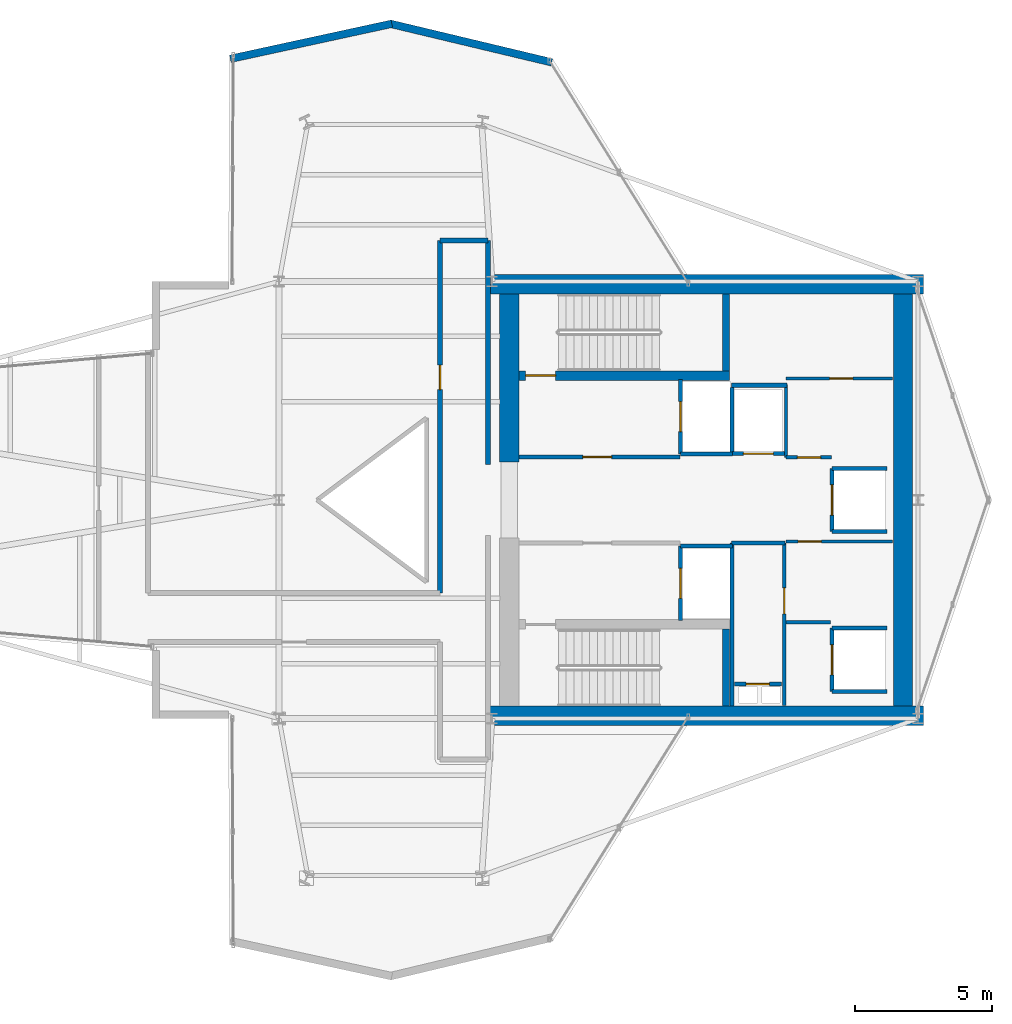
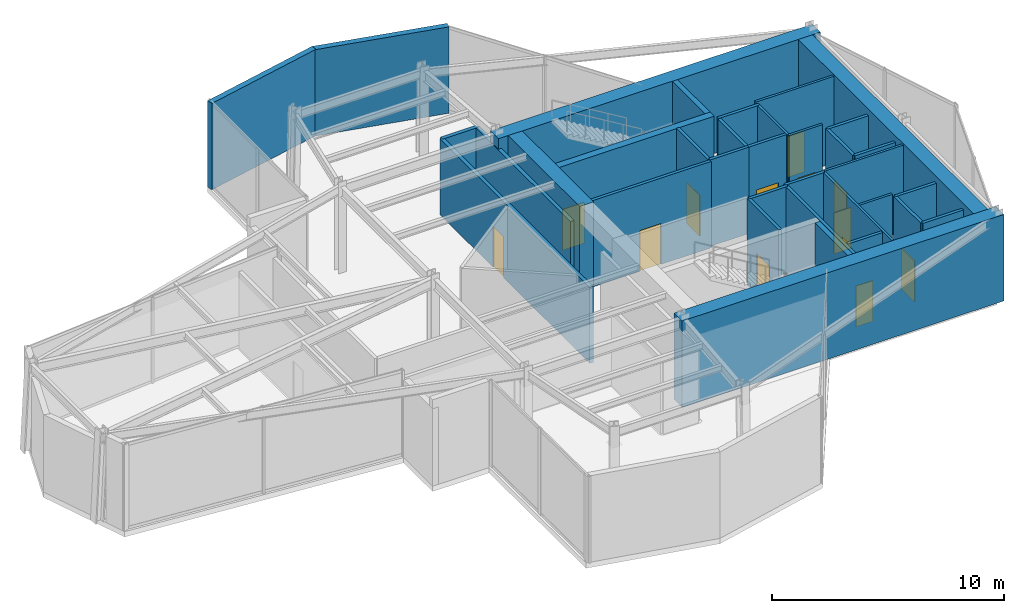
# One storey, part 10 of 14: 35 walls, 13 doors, 13 openings.
"""IFC4 building model written with IfcOpenShell, lengths in metres."""

from ifc_helpers import new_model, si_unit, direction, frame, frame_2d, origin, place, context, subcontext, project, spatial, rectangle, extrude, material, layer, layer_set, type_object, element, fill, save


model = new_model("IFC4")

# Units and contexts
model_context = context("Model", 3, precision=1e-05, world=origin(), true_north=direction((0.0, 1.0)))
body_context = subcontext(model_context, "Body", "Model", "MODEL_VIEW")
ifc_project = project(units=[si_unit("LENGTHUNIT", "METRE"), si_unit("AREAUNIT", "SQUARE_METRE"), si_unit("VOLUMEUNIT", "CUBIC_METRE"), si_unit("PLANEANGLEUNIT", "RADIAN"), si_unit("MASSUNIT", "GRAM", prefix="KILO")], contexts=[model_context])

# Site, building, storey
site_placement = place(None, origin())
site = spatial("IfcSite", under=ifc_project, at=site_placement, CompositionType="ELEMENT")
building_placement = place(site_placement, origin())
building = spatial("IfcBuilding", under=site, at=building_placement, Name="Veymaron Broadcast Tower", CompositionType="ELEMENT")
storey_placement = place(building_placement, frame((0.0, 0.0, 187.050048828125)))
storey = spatial("IfcBuildingStorey", under=building, at=storey_placement, Name="L43", CompositionType="ELEMENT", Elevation=187.050048828125)

# Walls
ifc_material_1 = material(Name="Precast concrete C40/50", Category="concrete")
ifc_layer_1 = layer(ifc_material_1, 0.280029296875)
ifc_layer_set_1 = layer_set([ifc_layer_1], Name="Precast concrete C40/50")
wall_type_1 = type_object("IfcWallType", Name="WALL-EXT-280", PredefinedType="STANDARD", material=ifc_layer_set_1)
wall_1_placement = place(storey_placement, frame((41.182861328125, 40.024658203125, 0.0), z_axis=(0.0, 0.0, 1.0), x_axis=(-0.972648741774, 0.232280918558, 0.0)))
element("IfcWall", 1, at=wall_1_placement, inside=storey, type_object=wall_type_1, Name="L43 notched corner facade pier 6-1", PredefinedType="STANDARD", context=body_context, shape_type="SweptSolid", body=[
    extrude(rectangle(XDim=6.080322265625, YDim=0.280029296875, at=frame_2d((3.0400390625, 0.0))), origin(), (0.0, 0.0, 1.0), 4.5400390625),
])
wall_2_placement = place(storey_placement, frame((35.330810546875, 41.436279296875, 0.0), z_axis=(0.0, 0.0, 1.0), x_axis=(-0.977235673134, -0.212156638252, 0.0)))
element("IfcWall", 2, at=wall_2_placement, inside=storey, type_object=wall_type_1, Name="L43 notched corner facade pier 7-1", PredefinedType="STANDARD", context=body_context, shape_type="SweptSolid", body=[
    extrude(rectangle(XDim=6.0517578125, YDim=0.280029296875, at=frame_2d((3.02587890625, 0.0))), origin(), (0.0, 0.0, 1.0), 4.5400390625),
])

# Wall, opening, door
ifc_material_2 = material(Name="Gypsum fireboard and steel stud framing", Category="steel")
ifc_layer_2 = layer(ifc_material_2, 0.14990234375)
ifc_layer_set_2 = layer_set([ifc_layer_2], Name="Gypsum fireboard and steel stud framing")
wall_type_2 = type_object("IfcWallType", Name="WALL-FIRE-150", PredefinedType="PARTITIONING", material=ifc_layer_set_2)
wall_3_placement = place(storey_placement, frame((39.97998046875, 25.574951171875, 0.0), z_axis=(0.0, 0.0, 1.0), x_axis=(1.0, 0.0, 0.0)))
wall_3 = element("IfcWall", 3, at=wall_3_placement, inside=storey, type_object=wall_type_2, Name="L43 partition IW-L43-FFLN-S", PredefinedType="PARTITIONING", context=body_context, shape_type="SweptSolid", body=[
    extrude(rectangle(XDim=5.89990234375, YDim=0.14990234375, at=frame_2d((2.949951171875, 0.0))), origin(), (0.0, 0.0, 1.0), 4.5400390625),
])
opening_1_placement = place(wall_3_placement, frame((2.35009765625, 0.0, 0.0)))
opening_1 = element("IfcOpeningElement", 4, at=opening_1_placement, cuts=wall_3, Name="Opening ID-FL1", PredefinedType="OPENING", context=body_context, shape_type="SweptSolid", body=[
    extrude(rectangle(XDim=1.050048828125, YDim=2.14990234375, at=frame_2d((0.52490234375, 1.074951171875))), frame((0.0, 0.0849609375, 0.0), z_axis=(0.0, -1.0, 0.0), x_axis=(1.0, 0.0, 0.0)), (0.0, 0.0, 1.0), 0.169921875),
])
ifc_material_3 = material(Name="Fire-rated painted hollow steel ASTM A653", Category="steel")
door_type_1 = type_object("IfcDoorType", Name="DOOR-FIRE-1050", OperationType="NOTDEFINED", PredefinedType="DOOR", material=ifc_material_3)
door_1_placement = place(opening_1_placement, origin())
door_1 = element("IfcDoor", 5, at=door_1_placement, inside=storey, type_object=door_type_1, Name="L43 door DR-L43-FFLN", OperationType="SINGLE_SWING_LEFT", OverallHeight=2.14990234375, OverallWidth=1.050048828125, PredefinedType="DOOR", context=body_context, shape_type="SweptSolid", body=[
    extrude(rectangle(XDim=1.050048828125, YDim=2.14990234375, at=frame_2d((0.52490234375, 1.074951171875))), frame((0.0, 0.02490234375, 0.0), z_axis=(0.0, -1.0, 0.0), x_axis=(1.0, 0.0, 0.0)), (0.0, 0.0, 1.0), 0.050048828125),
])
fill(opening_1, door_1)

wall_4_placement = place(storey_placement, frame((45.89501953125, 25.68994140625, 0.0), z_axis=(0.0, 0.0, 1.0), x_axis=(0.0, 1.0, 0.0)))
wall_4 = element("IfcWall", 6, at=wall_4_placement, inside=storey, type_object=wall_type_2, Name="L43 partition IW-L43-SHW-FFL-1", PredefinedType="PARTITIONING", context=body_context, shape_type="SweptSolid", body=[
    extrude(rectangle(XDim=2.719970703125, YDim=0.14990234375, at=frame_2d((1.35986328125, 0.0))), origin(), (0.0, 0.0, 1.0), 4.5400390625),
])
opening_2_placement = place(wall_4_placement, frame((0.81005859375, 0.0, 0.0)))
opening_2 = element("IfcOpeningElement", 7, at=opening_2_placement, cuts=wall_4, Name="Opening LD", PredefinedType="OPENING", context=body_context, shape_type="SweptSolid", body=[
    extrude(rectangle(XDim=1.10009765625, YDim=2.14990234375, at=frame_2d((0.550048828125, 1.074951171875))), frame((0.0, 0.0849609375, 0.0), z_axis=(0.0, -1.0, 0.0), x_axis=(1.0, 0.0, 0.0)), (0.0, 0.0, 1.0), 0.169921875),
])
ifc_material_4 = material(Name="Brushed stainless steel AISI 304", Category="steel")
door_type_2 = type_object("IfcDoorType", Name="DOOR-LIFT-1100", OperationType="DOUBLE_DOOR_SLIDING", PredefinedType="DOOR", material=ifc_material_4)
door_2_placement = place(opening_2_placement, frame((1.10009765625, 0.0, 0.0), z_axis=(0.0, 0.0, 1.0), x_axis=(-1.0, 0.0, 0.0)))
door_2 = element("IfcDoor", 8, at=door_2_placement, inside=storey, type_object=door_type_2, Name="L43 door LD-L43-FFL-1", OperationType="DOUBLE_DOOR_SLIDING", OverallHeight=2.14990234375, OverallWidth=1.10009765625, PredefinedType="DOOR", context=body_context, shape_type="SweptSolid", body=[
    extrude(rectangle(XDim=1.10009765625, YDim=2.14990234375, at=frame_2d((0.550048828125, 1.074951171875))), frame((0.0, 0.02490234375, 0.0), z_axis=(0.0, -1.0, 0.0), x_axis=(1.0, 0.0, 0.0)), (0.0, 0.0, 1.0), 0.050048828125),
])
fill(opening_2, door_2)

# Wall
wall_5_placement = place(storey_placement, frame((45.89501953125, 25.68994140625, 0.0), z_axis=(0.0, 0.0, 1.0), x_axis=(1.0, 0.0, 0.0)))
element("IfcWall", 9, at=wall_5_placement, inside=storey, type_object=wall_type_2, Name="L43 partition IW-L43-SHS-FFL-1", PredefinedType="PARTITIONING", context=body_context, shape_type="SweptSolid", body=[
    extrude(rectangle(XDim=1.9150390625, YDim=0.14990234375, at=frame_2d((0.95751953125, 0.0))), origin(), (0.0, 0.0, 1.0), 4.5400390625),
])

# Wall, opening, door
wall_6_placement = place(storey_placement, frame((45.89501953125, 19.590087890625, 0.0), z_axis=(0.0, 0.0, 1.0), x_axis=(0.0, 1.0, 0.0)))
wall_6 = element("IfcWall", 10, at=wall_6_placement, inside=storey, type_object=wall_type_2, Name="L43 partition IW-L43-SHW-FFL-2", PredefinedType="PARTITIONING", context=body_context, shape_type="SweptSolid", body=[
    extrude(rectangle(XDim=2.719970703125, YDim=0.14990234375, at=frame_2d((1.35986328125, 0.0))), origin(), (0.0, 0.0, 1.0), 4.5400390625),
])
opening_3_placement = place(wall_6_placement, frame((0.81005859375, 0.0, 0.0)))
opening_3 = element("IfcOpeningElement", 11, at=opening_3_placement, cuts=wall_6, Name="Opening LD", PredefinedType="OPENING", context=body_context, shape_type="SweptSolid", body=[
    extrude(rectangle(XDim=1.10009765625, YDim=2.14990234375, at=frame_2d((0.550048828125, 1.074951171875))), frame((0.0, 0.0849609375, 0.0), z_axis=(0.0, -1.0, 0.0), x_axis=(1.0, 0.0, 0.0)), (0.0, 0.0, 1.0), 0.169921875),
])
door_3_placement = place(opening_3_placement, frame((1.10009765625, 0.0, 0.0), z_axis=(0.0, 0.0, 1.0), x_axis=(-1.0, 0.0, 0.0)))
door_3 = element("IfcDoor", 12, at=door_3_placement, inside=storey, type_object=door_type_2, Name="L43 door LD-L43-FFL-2", OperationType="DOUBLE_DOOR_SLIDING", OverallHeight=2.14990234375, OverallWidth=1.10009765625, PredefinedType="DOOR", context=body_context, shape_type="SweptSolid", body=[
    extrude(rectangle(XDim=1.10009765625, YDim=2.14990234375, at=frame_2d((0.550048828125, 1.074951171875))), frame((0.0, 0.02490234375, 0.0), z_axis=(0.0, -1.0, 0.0), x_axis=(1.0, 0.0, 0.0)), (0.0, 0.0, 1.0), 0.050048828125),
])
fill(opening_3, door_3)

# Wall
wall_7_placement = place(storey_placement, frame((45.89501953125, 22.31005859375, 0.0), z_axis=(0.0, 0.0, 1.0), x_axis=(1.0, 0.0, 0.0)))
element("IfcWall", 13, at=wall_7_placement, inside=storey, type_object=wall_type_2, Name="L43 partition IW-L43-SHN-FFL-2", PredefinedType="PARTITIONING", context=body_context, shape_type="SweptSolid", body=[
    extrude(rectangle(XDim=1.9150390625, YDim=0.14990234375, at=frame_2d((0.95751953125, 0.0))), origin(), (0.0, 0.0, 1.0), 4.5400390625),
])

# Wall, opening, door
wall_8_placement = place(storey_placement, frame((47.7900390625, 25.695068359375, 0.0), z_axis=(0.0, 0.0, 1.0), x_axis=(1.0, 0.0, 0.0)))
wall_8 = element("IfcWall", 14, at=wall_8_placement, inside=storey, type_object=wall_type_2, Name="L43 partition IW-L43-SHS-SL-1", PredefinedType="PARTITIONING", context=body_context, shape_type="SweptSolid", body=[
    extrude(rectangle(XDim=1.919921875, YDim=0.14990234375, at=frame_2d((0.9599609375, 0.0))), origin(), (0.0, 0.0, 1.0), 4.5400390625),
])
opening_4_placement = place(wall_8_placement, frame((0.409912109375, 0.0, 0.0)))
opening_4 = element("IfcOpeningElement", 15, at=opening_4_placement, cuts=wall_8, Name="Opening LD", PredefinedType="OPENING", context=body_context, shape_type="SweptSolid", body=[
    extrude(rectangle(XDim=1.10009765625, YDim=2.14990234375, at=frame_2d((0.550048828125, 1.074951171875))), frame((0.0, 0.0849609375, 0.0), z_axis=(0.0, -1.0, 0.0), x_axis=(1.0, 0.0, 0.0)), (0.0, 0.0, 1.0), 0.169921875),
])
door_4_placement = place(opening_4_placement, frame((1.10009765625, 0.0, 0.0), z_axis=(0.0, 0.0, 1.0), x_axis=(-1.0, 0.0, 0.0)))
door_4 = element("IfcDoor", 16, at=door_4_placement, inside=storey, type_object=door_type_2, Name="L43 door LD-L43-SL-1", OperationType="DOUBLE_DOOR_SLIDING", OverallHeight=2.14990234375, OverallWidth=1.10009765625, PredefinedType="DOOR", context=body_context, shape_type="SweptSolid", body=[
    extrude(rectangle(XDim=1.10009765625, YDim=2.14990234375, at=frame_2d((0.550048828125, 1.074951171875))), frame((0.0, 0.02490234375, 0.0), z_axis=(0.0, -1.0, 0.0), x_axis=(1.0, 0.0, 0.0)), (0.0, 0.0, 1.0), 0.050048828125),
])
fill(opening_4, door_4)

# Wall
wall_9_placement = place(storey_placement, frame((47.7900390625, 25.695068359375, 0.0), z_axis=(0.0, 0.0, 1.0), x_axis=(0.0, 1.0, 0.0)))
element("IfcWall", 17, at=wall_9_placement, inside=storey, type_object=wall_type_2, Name="L43 partition IW-L43-SHW-SL-1", PredefinedType="PARTITIONING", context=body_context, shape_type="SweptSolid", body=[
    extrude(rectangle(XDim=2.4150390625, YDim=0.14990234375, at=frame_2d((1.20751953125, 0.0))), origin(), (0.0, 0.0, 1.0), 4.5400390625),
])

# Wall, opening, door
wall_10_placement = place(storey_placement, frame((51.445068359375, 22.840087890625, 0.0), z_axis=(0.0, 0.0, 1.0), x_axis=(0.0, 1.0, 0.0)))
wall_10 = element("IfcWall", 18, at=wall_10_placement, inside=storey, type_object=wall_type_2, Name="L43 partition IW-L43-SHW-PM3", PredefinedType="PARTITIONING", context=body_context, shape_type="SweptSolid", body=[
    extrude(rectangle(XDim=2.31982421875, YDim=0.14990234375, at=frame_2d((1.159912109375, 0.0))), origin(), (0.0, 0.0, 1.0), 4.5400390625),
])
opening_5_placement = place(wall_10_placement, frame((0.610107421875, 0.0, 0.0)))
opening_5 = element("IfcOpeningElement", 19, at=opening_5_placement, cuts=wall_10, Name="Opening LD", PredefinedType="OPENING", context=body_context, shape_type="SweptSolid", body=[
    extrude(rectangle(XDim=1.10009765625, YDim=2.14990234375, at=frame_2d((0.550048828125, 1.074951171875))), frame((0.0, 0.0849609375, 0.0), z_axis=(0.0, -1.0, 0.0), x_axis=(1.0, 0.0, 0.0)), (0.0, 0.0, 1.0), 0.169921875),
])
door_5_placement = place(opening_5_placement, frame((1.10009765625, 0.0, 0.0), z_axis=(0.0, 0.0, 1.0), x_axis=(-1.0, 0.0, 0.0)))
door_5 = element("IfcDoor", 20, at=door_5_placement, inside=storey, type_object=door_type_2, Name="L43 door LD-L43-PM3", OperationType="DOUBLE_DOOR_SLIDING", OverallHeight=2.14990234375, OverallWidth=1.10009765625, PredefinedType="DOOR", context=body_context, shape_type="SweptSolid", body=[
    extrude(rectangle(XDim=1.10009765625, YDim=2.14990234375, at=frame_2d((0.550048828125, 1.074951171875))), frame((0.0, 0.02490234375, 0.0), z_axis=(0.0, -1.0, 0.0), x_axis=(1.0, 0.0, 0.0)), (0.0, 0.0, 1.0), 0.050048828125),
])
fill(opening_5, door_5)

# Walls
for number, where, z_axis, x_axis, name in (
    (21, (51.445068359375, 22.840087890625, 0.0), (0.0, 0.0, 1.0), (1.0, 0.0, 0.0), "L43 partition IW-L43-SHS-PM3"),
    (22, (51.445068359375, 25.159912109375, 0.0), (0.0, 0.0, 1.0), (1.0, 0.0, 0.0), "L43 partition IW-L43-SHN-PM3"),
):
    element("IfcWall", number, at=place(storey_placement, frame(where, z_axis=z_axis, x_axis=x_axis)), inside=storey, type_object=wall_type_2, Name=name, PredefinedType="PARTITIONING", context=body_context, shape_type="SweptSolid", body=[
        extrude(rectangle(XDim=2.014892578125, YDim=0.14990234375, at=frame_2d((1.00732421875, 0.0))), origin(), (0.0, 0.0, 1.0), 4.5400390625),
    ])

# Wall, opening, door
wall_11_placement = place(storey_placement, frame((51.445068359375, 16.989990234375, 0.0), z_axis=(0.0, 0.0, 1.0), x_axis=(0.0, 1.0, 0.0)))
wall_11 = element("IfcWall", 23, at=wall_11_placement, inside=storey, type_object=wall_type_2, Name="L43 partition IW-L43-SHW-PH1", PredefinedType="PARTITIONING", context=body_context, shape_type="SweptSolid", body=[
    extrude(rectangle(XDim=2.320068359375, YDim=0.14990234375, at=frame_2d((1.16015625, 0.0))), origin(), (0.0, 0.0, 1.0), 4.5400390625),
])
opening_6_placement = place(wall_11_placement, frame((0.610107421875, 0.0, 0.0)))
opening_6 = element("IfcOpeningElement", 24, at=opening_6_placement, cuts=wall_11, Name="Opening LD", PredefinedType="OPENING", context=body_context, shape_type="SweptSolid", body=[
    extrude(rectangle(XDim=1.10009765625, YDim=2.14990234375, at=frame_2d((0.550048828125, 1.074951171875))), frame((0.0, 0.0849609375, 0.0), z_axis=(0.0, -1.0, 0.0), x_axis=(1.0, 0.0, 0.0)), (0.0, 0.0, 1.0), 0.169921875),
])
door_6_placement = place(opening_6_placement, frame((1.10009765625, 0.0, 0.0), z_axis=(0.0, 0.0, 1.0), x_axis=(-1.0, 0.0, 0.0)))
door_6 = element("IfcDoor", 25, at=door_6_placement, inside=storey, type_object=door_type_2, Name="L43 door LD-L43-PH1", OperationType="DOUBLE_DOOR_SLIDING", OverallHeight=2.14990234375, OverallWidth=1.10009765625, PredefinedType="DOOR", context=body_context, shape_type="SweptSolid", body=[
    extrude(rectangle(XDim=1.10009765625, YDim=2.14990234375, at=frame_2d((0.550048828125, 1.074951171875))), frame((0.0, 0.02490234375, 0.0), z_axis=(0.0, -1.0, 0.0), x_axis=(1.0, 0.0, 0.0)), (0.0, 0.0, 1.0), 0.050048828125),
])
fill(opening_6, door_6)

# Walls
for number, where, z_axis, x_axis, name in (
    (26, (51.445068359375, 16.989990234375, 0.0), (0.0, 0.0, 1.0), (1.0, 0.0, 0.0), "L43 partition IW-L43-SHS-PH1"),
    (27, (51.445068359375, 19.31005859375, 0.0), (0.0, 0.0, 1.0), (1.0, 0.0, 0.0), "L43 partition IW-L43-SHN-PH1"),
):
    element("IfcWall", number, at=place(storey_placement, frame(where, z_axis=z_axis, x_axis=x_axis)), inside=storey, type_object=wall_type_2, Name=name, PredefinedType="PARTITIONING", context=body_context, shape_type="SweptSolid", body=[
        extrude(rectangle(XDim=2.014892578125, YDim=0.14990234375, at=frame_2d((1.00732421875, 0.0))), origin(), (0.0, 0.0, 1.0), 4.5400390625),
    ])

# Wall, opening, door
wall_12_placement = place(storey_placement, frame((47.8798828125, 17.260009765625, 0.0), z_axis=(0.0, 0.0, 1.0), x_axis=(1.0, 0.0, 0.0)))
wall_12 = element("IfcWall", 28, at=wall_12_placement, inside=storey, type_object=wall_type_2, Name="L43 partition IW-L43-RIS-N", PredefinedType="PARTITIONING", context=body_context, shape_type="SweptSolid", body=[
    extrude(rectangle(XDim=1.72021484375, YDim=0.14990234375, at=frame_2d((0.860107421875, 0.0))), origin(), (0.0, 0.0, 1.0), 4.5400390625),
])
opening_7_placement = place(wall_12_placement, frame((0.419921875, 0.0, 0.0)))
opening_7 = element("IfcOpeningElement", 29, at=opening_7_placement, cuts=wall_12, Name="Opening ID-RS1", PredefinedType="OPENING", context=body_context, shape_type="SweptSolid", body=[
    extrude(rectangle(XDim=0.85009765625, YDim=2.14990234375, at=frame_2d((0.425048828125, 1.074951171875))), frame((0.0, 0.0849609375, 0.0), z_axis=(0.0, -1.0, 0.0), x_axis=(1.0, 0.0, 0.0)), (0.0, 0.0, 1.0), 0.169921875),
])
ifc_material_5 = material(Name="Fire-rated powder-coated steel riser leaf", Category="steel")
door_type_3 = type_object("IfcDoorType", Name="DOOR-RIS-850", OperationType="NOTDEFINED", PredefinedType="TRAPDOOR", material=ifc_material_5)
door_7_placement = place(opening_7_placement, origin())
door_7 = element("IfcDoor", 30, at=door_7_placement, inside=storey, type_object=door_type_3, Name="L43 door DR-L43-RIS", OperationType="SINGLE_SWING_LEFT", OverallHeight=2.14990234375, OverallWidth=0.85009765625, PredefinedType="TRAPDOOR", context=body_context, shape_type="SweptSolid", body=[
    extrude(rectangle(XDim=0.85009765625, YDim=2.14990234375, at=frame_2d((0.425048828125, 1.074951171875))), frame((0.0, 0.02490234375, 0.0), z_axis=(0.0, -1.0, 0.0), x_axis=(1.0, 0.0, 0.0)), (0.0, 0.0, 1.0), 0.050048828125),
])
fill(opening_7, door_7)

# Walls
wall_13_placement = place(storey_placement, frame((47.760009765625, 22.425048828125, 0.0), z_axis=(0.0, 0.0, 1.0), x_axis=(1.0, 0.0, 0.0)))
element("IfcWall", 31, at=wall_13_placement, inside=storey, type_object=wall_type_2, Name="L43 partition IW-L43-SM-N", PredefinedType="PARTITIONING", context=body_context, shape_type="SweptSolid", body=[
    extrude(rectangle(XDim=1.9599609375, YDim=0.14990234375, at=frame_2d((0.97998046875, 0.0))), origin(), (0.0, 0.0, 1.0), 4.5400390625),
])
wall_14_placement = place(storey_placement, frame((47.780029296875, 16.449951171875, 0.0), z_axis=(0.0, 0.0, 1.0), x_axis=(0.0, 1.0, 0.0)))
element("IfcWall", 32, at=wall_14_placement, inside=storey, type_object=wall_type_2, Name="L43 partition IW-L43-SM-W", PredefinedType="PARTITIONING", context=body_context, shape_type="SweptSolid", body=[
    extrude(rectangle(XDim=5.97509765625, YDim=0.14990234375, at=frame_2d((2.987548828125, 0.0))), origin(), (0.0, 0.0, 1.0), 4.5400390625),
])
wall_15_placement = place(storey_placement, frame((47.760009765625, 28.199951171875, 0.0), z_axis=(0.0, 0.0, 1.0), x_axis=(1.0, 0.0, 0.0)))
element("IfcWall", 33, at=wall_15_placement, inside=storey, type_object=wall_type_2, Name="L43 partition IW-L43-F2-SW", PredefinedType="PARTITIONING", context=body_context, shape_type="SweptSolid", body=[
    extrude(rectangle(XDim=2.0400390625, YDim=0.14990234375, at=frame_2d((1.02001953125, 0.0))), origin(), (0.0, 0.0, 1.0), 4.5400390625),
])

# Wall, opening, door
ifc_material_6 = material(Name="Concrete C40/50", Category="concrete")
ifc_layer_3 = layer(ifc_material_6, 0.179931640625)
ifc_layer_set_3 = layer_set([ifc_layer_3], Name="Concrete C40/50")
wall_type_3 = type_object("IfcWallType", Name="WALL-FIRE-180", PredefinedType="SOLIDWALL", material=ifc_layer_set_3)
wall_16_placement = place(storey_placement, frame((37.10009765625, 20.60009765625, 0.0), z_axis=(0.0, 0.0, 1.0), x_axis=(0.0, 1.0, 0.0)))
wall_16 = element("IfcWall", 34, at=wall_16_placement, inside=storey, type_object=wall_type_3, Name="L43 partition IW-L43-P06", PredefinedType="SOLIDWALL", context=body_context, shape_type="SweptSolid", body=[
    extrude(rectangle(XDim=12.89990234375, YDim=0.179931640625, at=frame_2d((6.449951171875, 0.0))), origin(), (0.0, 0.0, 1.0), 3.990966796875),
])
opening_8_placement = place(wall_16_placement, frame((7.43994140625, 0.0, 0.0)))
opening_8 = element("IfcOpeningElement", 35, at=opening_8_placement, cuts=wall_16, Name="Opening ID-RM2", PredefinedType="OPENING", context=body_context, shape_type="SweptSolid", body=[
    extrude(rectangle(XDim=0.89990234375, YDim=2.14990234375, at=frame_2d((0.449951171875, 1.074951171875))), frame((0.0, 0.10009765625, 0.0), z_axis=(0.0, -1.0, 0.0), x_axis=(1.0, 0.0, 0.0)), (0.0, 0.0, 1.0), 0.199951171875),
])
ifc_material_7 = material(Name="Acoustic solid-core European oak veneer timber", Category="wood")
door_type_4 = type_object("IfcDoorType", Name="DOOR-INT-900", OperationType="NOTDEFINED", PredefinedType="DOOR", material=ifc_material_7)
door_8_placement = place(opening_8_placement, frame((0.89990234375, 0.0, 0.0), z_axis=(0.0, 0.0, 1.0), x_axis=(-1.0, 0.0, 0.0)))
door_8 = element("IfcDoor", 36, at=door_8_placement, inside=storey, type_object=door_type_4, Name="L43 door DR-L43-P06", OperationType="SINGLE_SWING_LEFT", OverallHeight=2.14990234375, OverallWidth=0.89990234375, PredefinedType="DOOR", context=body_context, shape_type="SweptSolid", body=[
    extrude(rectangle(XDim=0.89990234375, YDim=2.14990234375, at=frame_2d((0.449951171875, 1.074951171875))), frame((0.0, 0.02490234375, 0.0), z_axis=(0.0, -1.0, 0.0), x_axis=(1.0, 0.0, 0.0)), (0.0, 0.0, 1.0), 0.050048828125),
])
fill(opening_8, door_8)

# Walls
wall_17_placement = place(storey_placement, frame((38.85009765625, 25.300048828125, 0.0), z_axis=(0.0, 0.0, 1.0), x_axis=(0.0, 1.0, 0.0)))
element("IfcWall", 37, at=wall_17_placement, inside=storey, type_object=wall_type_3, Name="L43 partition IW-L43-P09", PredefinedType="SOLIDWALL", context=body_context, shape_type="SweptSolid", body=[
    extrude(rectangle(XDim=8.199951171875, YDim=0.179931640625, at=frame_2d((4.10009765625, 0.0))), origin(), (0.0, 0.0, 1.0), 3.990966796875),
])
wall_18_placement = place(storey_placement, frame((37.10009765625, 33.5, 0.0), z_axis=(0.0, 0.0, 1.0), x_axis=(1.0, 0.0, 0.0)))
element("IfcWall", 38, at=wall_18_placement, inside=storey, type_object=wall_type_3, Name="L43 partition IW-L43-P10", PredefinedType="SOLIDWALL", context=body_context, shape_type="SweptSolid", body=[
    extrude(rectangle(XDim=1.75, YDim=0.179931640625, at=frame_2d((0.875, 0.0))), origin(), (0.0, 0.0, 1.0), 3.990966796875),
])

# Wall, opening, door
ifc_material_8 = material(Name="Acoustic gypsum board and galvanized stud", Category="gypsum")
ifc_layer_4 = layer(ifc_material_8, 0.1201171875)
ifc_layer_set_4 = layer_set([ifc_layer_4], Name="Acoustic gypsum board and galvanized stud")
wall_type_4 = type_object("IfcWallType", Name="WALL-PART-120", PredefinedType="PARTITIONING", material=ifc_layer_set_4)
wall_19_placement = place(storey_placement, frame((49.699951171875, 16.47998046875, 0.0), z_axis=(0.0, 0.0, 1.0), x_axis=(0.0, 1.0, 0.0)))
wall_19 = element("IfcWall", 39, at=wall_19_placement, inside=storey, type_object=wall_type_4, Name="L43 partition IW-L43-SM-E", PredefinedType="PARTITIONING", context=body_context, shape_type="SweptSolid", body=[
    extrude(rectangle(XDim=5.945068359375, YDim=0.1201171875, at=frame_2d((2.97265625, 0.0))), origin(), (0.0, 0.0, 1.0), 4.5400390625),
])
opening_9_placement = place(wall_19_placement, frame((3.35009765625, 0.0, 0.0)))
opening_9 = element("IfcOpeningElement", 40, at=opening_9_placement, cuts=wall_19, Name="Opening ID-RM1", PredefinedType="OPENING", context=body_context, shape_type="SweptSolid", body=[
    extrude(rectangle(XDim=0.949951171875, YDim=2.14990234375, at=frame_2d((0.47509765625, 1.074951171875))), frame((0.0, 0.070068359375, 0.0), z_axis=(0.0, -1.0, 0.0), x_axis=(1.0, 0.0, 0.0)), (0.0, 0.0, 1.0), 0.14013671875),
])
door_type_5 = type_object("IfcDoorType", Name="DOOR-INT-950", OperationType="NOTDEFINED", PredefinedType="DOOR", material=ifc_material_7)
door_9_placement = place(opening_9_placement, frame((0.949951171875, 0.0, 0.0), z_axis=(0.0, 0.0, 1.0), x_axis=(-1.0, 0.0, 0.0)))
door_9 = element("IfcDoor", 41, at=door_9_placement, inside=storey, type_object=door_type_5, Name="L43 door DR-L43-AWC", OperationType="SINGLE_SWING_LEFT", OverallHeight=2.14990234375, OverallWidth=0.949951171875, PredefinedType="DOOR", context=body_context, shape_type="SweptSolid", body=[
    extrude(rectangle(XDim=0.949951171875, YDim=2.14990234375, at=frame_2d((0.47509765625, 1.074951171875))), frame((0.0, 0.02490234375, 0.0), z_axis=(0.0, -1.0, 0.0), x_axis=(1.0, 0.0, 0.0)), (0.0, 0.0, 1.0), 0.050048828125),
])
fill(opening_9, door_9)

wall_20_placement = place(storey_placement, frame((49.760009765625, 22.47998046875, 0.0), z_axis=(0.0, 0.0, 1.0), x_axis=(1.0, 0.0, 0.0)))
wall_20 = element("IfcWall", 42, at=wall_20_placement, inside=storey, type_object=wall_type_4, Name="L43 partition IW-L43-F2S-N", PredefinedType="PARTITIONING", context=body_context, shape_type="SweptSolid", body=[
    extrude(rectangle(XDim=3.89990234375, YDim=0.1201171875, at=frame_2d((1.949951171875, 0.0))), origin(), (0.0, 0.0, 1.0), 4.5400390625),
])
opening_10_placement = place(wall_20_placement, frame((0.449951171875, 0.0, 0.0)))
opening_10 = element("IfcOpeningElement", 43, at=opening_10_placement, cuts=wall_20, Name="Opening ID-WC1", PredefinedType="OPENING", context=body_context, shape_type="SweptSolid", body=[
    extrude(rectangle(XDim=0.85009765625, YDim=2.14990234375, at=frame_2d((0.425048828125, 1.074951171875))), frame((0.0, 0.070068359375, 0.0), z_axis=(0.0, -1.0, 0.0), x_axis=(1.0, 0.0, 0.0)), (0.0, 0.0, 1.0), 0.14013671875),
])
ifc_material_9 = material(Name="Moisture-resistant high-pressure laminate timber", Category="wood")
door_type_6 = type_object("IfcDoorType", Name="DOOR-INT-850", OperationType="NOTDEFINED", PredefinedType="DOOR", material=ifc_material_9)
door_10_placement = place(opening_10_placement, frame((0.85009765625, 0.0, 0.0), z_axis=(0.0, 0.0, 1.0), x_axis=(-1.0, 0.0, 0.0)))
door_10 = element("IfcDoor", 44, at=door_10_placement, inside=storey, type_object=door_type_6, Name="L43 door DR-L43-F2S", OperationType="SINGLE_SWING_LEFT", OverallHeight=2.14990234375, OverallWidth=0.85009765625, PredefinedType="DOOR", context=body_context, shape_type="SweptSolid", body=[
    extrude(rectangle(XDim=0.85009765625, YDim=2.14990234375, at=frame_2d((0.425048828125, 1.074951171875))), frame((0.0, 0.02490234375, 0.0), z_axis=(0.0, -1.0, 0.0), x_axis=(1.0, 0.0, 0.0)), (0.0, 0.0, 1.0), 0.050048828125),
])
fill(opening_10, door_10)

# Walls
wall_21_placement = place(storey_placement, frame((49.760009765625, 19.52001953125, 0.0), z_axis=(0.0, 0.0, 1.0), x_axis=(1.0, 0.0, 0.0)))
element("IfcWall", 45, at=wall_21_placement, inside=storey, type_object=wall_type_4, Name="L43 partition IW-L43-F2S-S", PredefinedType="PARTITIONING", context=body_context, shape_type="SweptSolid", body=[
    extrude(rectangle(XDim=1.639892578125, YDim=0.1201171875, at=frame_2d((0.81982421875, 0.0))), origin(), (0.0, 0.0, 1.0), 4.5400390625),
])
wall_22_placement = place(storey_placement, frame((49.760009765625, 25.56005859375, 0.0), z_axis=(0.0, 0.0, 1.0), x_axis=(0.0, 1.0, 0.0)))
element("IfcWall", 46, at=wall_22_placement, inside=storey, type_object=wall_type_4, Name="L43 partition IW-L43-F2-W1", PredefinedType="PARTITIONING", context=body_context, shape_type="SweptSolid", body=[
    extrude(rectangle(XDim=2.659912109375, YDim=0.1201171875, at=frame_2d((1.330078125, 0.0))), origin(), (0.0, 0.0, 1.0), 4.5400390625),
])

# Wall, opening, door
wall_23_placement = place(storey_placement, frame((49.760009765625, 25.56005859375, 0.0), z_axis=(0.0, 0.0, 1.0), x_axis=(1.0, 0.0, 0.0)))
wall_23 = element("IfcWall", 47, at=wall_23_placement, inside=storey, type_object=wall_type_4, Name="L43 partition IW-L43-F2-S", PredefinedType="PARTITIONING", context=body_context, shape_type="SweptSolid", body=[
    extrude(rectangle(XDim=1.659912109375, YDim=0.1201171875, at=frame_2d((0.830078125, 0.0))), origin(), (0.0, 0.0, 1.0), 4.5400390625),
])
opening_11_placement = place(wall_23_placement, frame((0.419921875, 0.0, 0.0)))
opening_11 = element("IfcOpeningElement", 48, at=opening_11_placement, cuts=wall_23, Name="Opening ID-WC1", PredefinedType="OPENING", context=body_context, shape_type="SweptSolid", body=[
    extrude(rectangle(XDim=0.85009765625, YDim=2.14990234375, at=frame_2d((0.425048828125, 1.074951171875))), frame((0.0, 0.070068359375, 0.0), z_axis=(0.0, -1.0, 0.0), x_axis=(1.0, 0.0, 0.0)), (0.0, 0.0, 1.0), 0.14013671875),
])
door_11_placement = place(opening_11_placement, origin())
door_11 = element("IfcDoor", 49, at=door_11_placement, inside=storey, type_object=door_type_6, Name="L43 door DR-L43-F2A", OperationType="SINGLE_SWING_LEFT", OverallHeight=2.14990234375, OverallWidth=0.85009765625, PredefinedType="DOOR", context=body_context, shape_type="SweptSolid", body=[
    extrude(rectangle(XDim=0.85009765625, YDim=2.14990234375, at=frame_2d((0.425048828125, 1.074951171875))), frame((0.0, 0.02490234375, 0.0), z_axis=(0.0, -1.0, 0.0), x_axis=(1.0, 0.0, 0.0)), (0.0, 0.0, 1.0), 0.050048828125),
])
fill(opening_11, door_11)

wall_24_placement = place(storey_placement, frame((49.760009765625, 28.449951171875, 0.0), z_axis=(0.0, 0.0, 1.0), x_axis=(1.0, 0.0, 0.0)))
wall_24 = element("IfcWall", 50, at=wall_24_placement, inside=storey, type_object=wall_type_4, Name="L43 partition IW-L43-F2-M", PredefinedType="PARTITIONING", context=body_context, shape_type="SweptSolid", body=[
    extrude(rectangle(XDim=3.89990234375, YDim=0.1201171875, at=frame_2d((1.949951171875, 0.0))), origin(), (0.0, 0.0, 1.0), 4.5400390625),
])
opening_12_placement = place(wall_24_placement, frame((1.60009765625, 0.0, 0.0)))
opening_12 = element("IfcOpeningElement", 51, at=opening_12_placement, cuts=wall_24, Name="Opening ID-WC1", PredefinedType="OPENING", context=body_context, shape_type="SweptSolid", body=[
    extrude(rectangle(XDim=0.85009765625, YDim=2.14990234375, at=frame_2d((0.425048828125, 1.074951171875))), frame((0.0, 0.070068359375, 0.0), z_axis=(0.0, -1.0, 0.0), x_axis=(1.0, 0.0, 0.0)), (0.0, 0.0, 1.0), 0.14013671875),
])
door_12_placement = place(opening_12_placement, origin())
door_12 = element("IfcDoor", 52, at=door_12_placement, inside=storey, type_object=door_type_6, Name="L43 door DR-L43-F2B", OperationType="SINGLE_SWING_RIGHT", OverallHeight=2.14990234375, OverallWidth=0.85009765625, PredefinedType="DOOR", context=body_context, shape_type="SweptSolid", body=[
    extrude(rectangle(XDim=0.85009765625, YDim=2.14990234375, at=frame_2d((0.425048828125, 1.074951171875))), frame((0.0, 0.02490234375, 0.0), z_axis=(0.0, -1.0, 0.0), x_axis=(1.0, 0.0, 0.0)), (0.0, 0.0, 1.0), 0.050048828125),
])
fill(opening_12, door_12)

# Walls
ifc_material_10 = material(Name="Concrete C50/60", Category="concrete")
ifc_layer_5 = layer(ifc_material_10, 0.25)
ifc_layer_set_5 = layer_set([ifc_layer_5], Name="Concrete C50/60")
wall_type_5 = type_object("IfcWallType", Name="WALL-SHEAR-250", PredefinedType="SHEAR", material=ifc_layer_set_5)
for number, where, z_axis, x_axis, name in (
    (53, (47.56494140625, 28.72998046875, 0.0), (0.0, 0.0, 1.0), (0.0, 1.0, 0.0), "L43 Core Wall north stair east shear"),
    (54, (47.56494140625, 16.449951171875, 0.0), (0.0, 0.0, 1.0), (0.0, 1.0, 0.0), "L43 Core Wall south stair east shear"),
):
    element("IfcWall", number, at=place(storey_placement, frame(where, z_axis=z_axis, x_axis=x_axis)), inside=storey, type_object=wall_type_5, Name=name, PredefinedType="SHEAR", context=body_context, shape_type="SweptSolid", body=[
        extrude(rectangle(XDim=2.820068359375, YDim=0.25, at=frame_2d((1.41015625, 0.0))), origin(), (0.0, 0.0, 1.0), 4.5400390625),
    ])

# Wall, opening, door
ifc_layer_6 = layer(ifc_material_10, 0.35009765625)
ifc_layer_set_6 = layer_set([ifc_layer_6], Name="Concrete C50/60")
wall_type_6 = type_object("IfcWallType", Name="WALL-SHEAR-350", PredefinedType="SHEAR", material=ifc_layer_set_6)
wall_25_placement = place(storey_placement, frame((39.97998046875, 28.554931640625, 0.0), z_axis=(0.0, 0.0, 1.0), x_axis=(1.0, 0.0, 0.0)))
wall_25 = element("IfcWall", 55, at=wall_25_placement, inside=storey, type_object=wall_type_6, Name="L43 Core Wall north stair spine", PredefinedType="SHEAR", context=body_context, shape_type="SweptSolid", body=[
    extrude(rectangle(XDim=7.7099609375, YDim=0.35009765625, at=frame_2d((3.85498046875, 0.0))), origin(), (0.0, 0.0, 1.0), 4.5400390625),
])
opening_13_placement = place(wall_25_placement, frame((0.25, 0.0, 0.0)))
opening_13 = element("IfcOpeningElement", 56, at=opening_13_placement, cuts=wall_25, Name="Opening ID-ST1", PredefinedType="OPENING", context=body_context, shape_type="SweptSolid", body=[
    extrude(rectangle(XDim=1.10009765625, YDim=2.14990234375, at=frame_2d((0.550048828125, 1.074951171875))), frame((0.0, 0.18505859375, 0.0), z_axis=(0.0, -1.0, 0.0), x_axis=(1.0, 0.0, 0.0)), (0.0, 0.0, 1.0), 0.3701171875),
])
door_type_7 = type_object("IfcDoorType", Name="DOOR-STAIR-1100", OperationType="NOTDEFINED", PredefinedType="DOOR", material=ifc_material_3)
door_13_placement = place(opening_13_placement, origin())
door_13 = element("IfcDoor", 57, at=door_13_placement, inside=storey, type_object=door_type_7, Name="L43 exit stair ST1 fire door", OperationType="SINGLE_SWING_RIGHT", OverallHeight=2.14990234375, OverallWidth=1.10009765625, PredefinedType="DOOR", context=body_context, shape_type="SweptSolid", body=[
    extrude(rectangle(XDim=1.10009765625, YDim=2.14990234375, at=frame_2d((0.550048828125, 1.074951171875))), frame((0.0, 0.02490234375, 0.0), z_axis=(0.0, -1.0, 0.0), x_axis=(1.0, 0.0, 0.0)), (0.0, 0.0, 1.0), 0.050048828125),
])
fill(opening_13, door_13)

# Walls
ifc_material_11 = material(Name="Concrete C60/75", Category="concrete")
ifc_layer_7 = layer(ifc_material_11, 0.699951171875)
ifc_layer_set_7 = layer_set([ifc_layer_7], Name="Concrete C60/75")
wall_type_7 = type_object("IfcWallType", Name="WALL-SHEAR-700", PredefinedType="SHEAR", material=ifc_layer_set_7)
for number, where, z_axis, x_axis, name in (
    (58, (38.800048828125, 31.89990234375, 0.0), (0.0, 0.0, 1.0), (1.0, 0.0, 0.0), "L43 Core Wall north shear"),
    (59, (38.800048828125, 16.10009765625, 0.0), (0.0, 0.0, 1.0), (1.0, 0.0, 0.0), "L43 Core Wall south shear"),
):
    element("IfcWall", number, at=place(storey_placement, frame(where, z_axis=z_axis, x_axis=x_axis)), inside=storey, type_object=wall_type_7, Name=name, PredefinedType="SHEAR", context=body_context, shape_type="SweptSolid", body=[
        extrude(rectangle(XDim=16.0, YDim=0.699951171875, at=frame_2d((8.0, 0.0))), origin(), (0.0, 0.0, 1.0), 4.5400390625),
    ])
wall_26_placement = place(storey_placement, frame((39.6298828125, 25.39990234375, 0.0), z_axis=(0.0, 0.0, 1.0), x_axis=(0.0, 1.0, 0.0)))
element("IfcWall", 60, at=wall_26_placement, inside=storey, type_object=wall_type_7, Name="L43 Core Wall west-north shear", PredefinedType="SHEAR", context=body_context, shape_type="SweptSolid", body=[
    extrude(rectangle(XDim=6.150146484375, YDim=0.699951171875, at=frame_2d((3.0751953125, 0.0))), origin(), (0.0, 0.0, 1.0), 4.5400390625),
])
wall_27_placement = place(storey_placement, frame((54.050048828125, 16.449951171875, 0.0), z_axis=(0.0, 0.0, 1.0), x_axis=(0.0, 1.0, 0.0)))
element("IfcWall", 61, at=wall_27_placement, inside=storey, type_object=wall_type_7, Name="L43 Core Wall east shear", PredefinedType="SHEAR", context=body_context, shape_type="SweptSolid", body=[
    extrude(rectangle(XDim=15.10009765625, YDim=0.699951171875, at=frame_2d((7.550048828125, 0.0))), origin(), (0.0, 0.0, 1.0), 4.5400390625),
])

save(model, "model.ifc")
